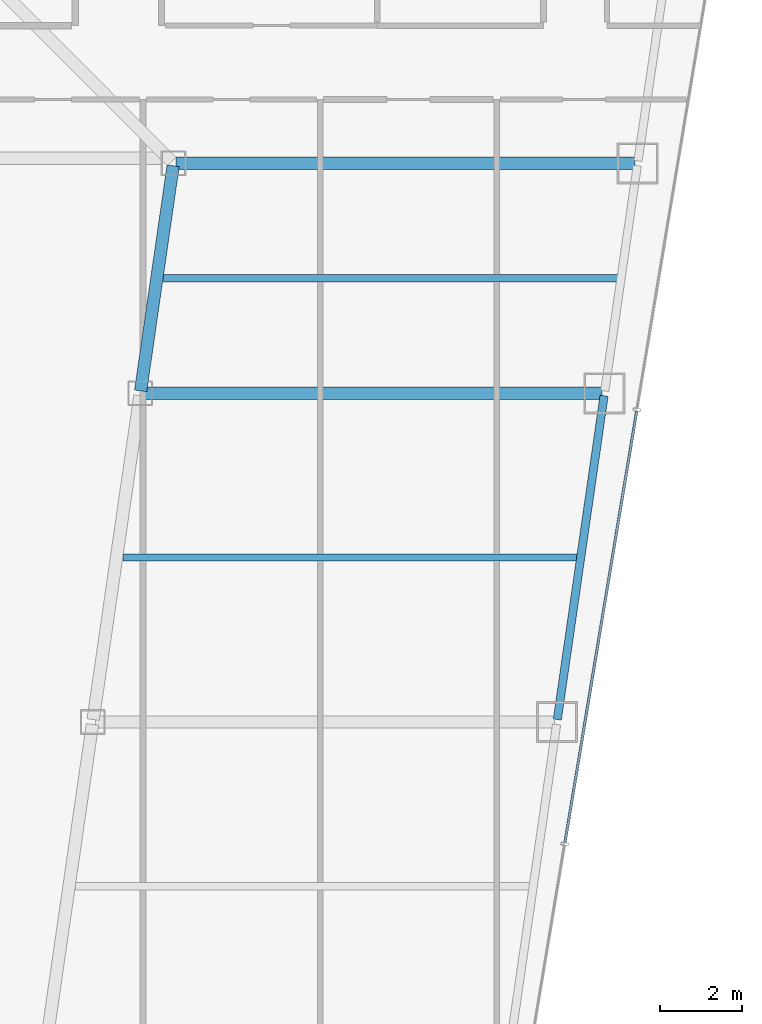
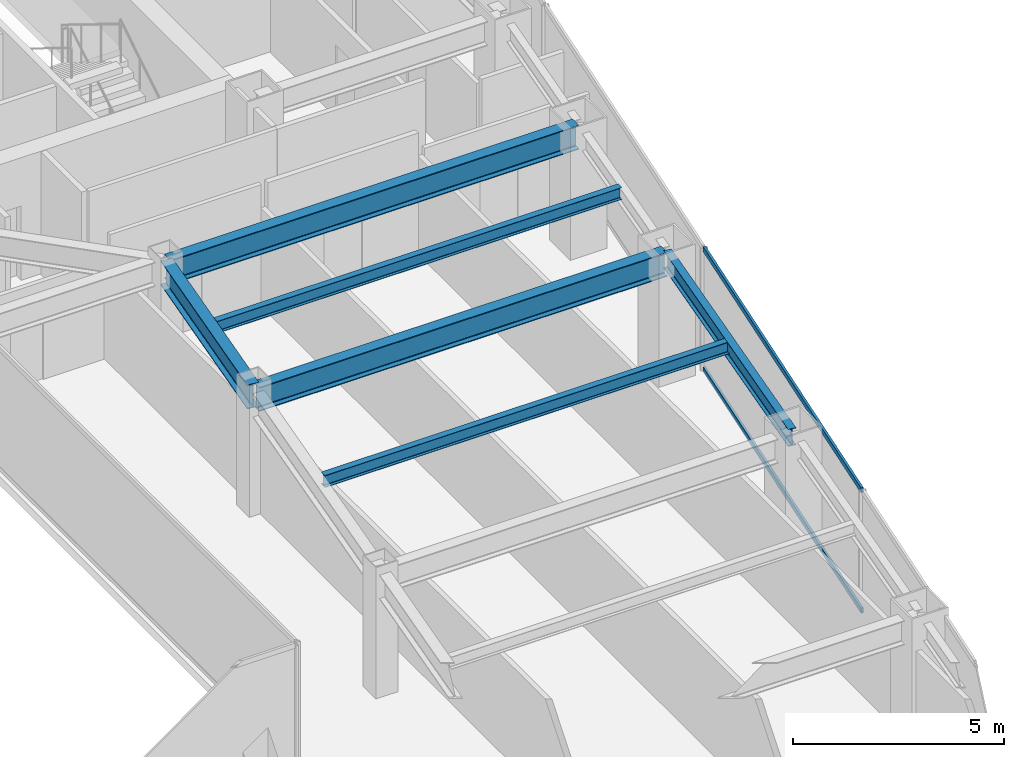
# One storey, part 17 of 37: 6 beams, 2 members, 1 element without a shape of its own.
"""IFC4 building model written with IfcOpenShell, lengths in metres."""

from ifc_helpers import new_model, si_unit, direction, frame, origin, origin_2d, place, context, subcontext, project, spatial, hollow_rectangle, i_section, extrude, material, material_profile, profile_set, type_object, element, aggregate, save


model = new_model("IFC4")

# Units and contexts
model_context = context("Model", 3, precision=1e-05, world=origin(), true_north=direction((0.0, 1.0)))
body_context = subcontext(model_context, "Body", "Model", "MODEL_VIEW")
ifc_project = project(units=[si_unit("LENGTHUNIT", "METRE"), si_unit("AREAUNIT", "SQUARE_METRE"), si_unit("VOLUMEUNIT", "CUBIC_METRE"), si_unit("PLANEANGLEUNIT", "RADIAN"), si_unit("MASSUNIT", "GRAM", prefix="KILO")], contexts=[model_context])

# Site, building, storey
site_placement = place(None, origin())
site = spatial("IfcSite", under=ifc_project, at=site_placement, CompositionType="ELEMENT")
building_placement = place(site_placement, origin())
building = spatial("IfcBuilding", under=site, at=building_placement, Name="Saevonmaru Cultural Tower", CompositionType="ELEMENT")
storey_placement = place(building_placement, frame((0.0, 0.0, 144.800048828125)))
storey = spatial("IfcBuildingStorey", under=building, at=storey_placement, Name="L31", CompositionType="ELEMENT", Elevation=144.800048828125)

# Beams
ifc_material_1 = material(Name="Steel SM355", Category="steel")
ifc_material_profile_1 = material_profile(ifc_material_1, i_section(OverallWidth=0.300048828125, OverallDepth=0.699951171875, WebThickness=0.012939453125, FlangeThickness=0.02392578125, FilletRadius=0.02587890625, at=origin_2d()), Name="H-700x300x13x24")
ifc_profile_set_1 = profile_set([ifc_material_profile_1], Name="Steel SM355")
beam_type_1 = type_object("IfcBeamType", Name="BM-G-H700", PredefinedType="BEAM", material=ifc_profile_set_1)
beam_1_placement = place(storey_placement, frame((40.3916015625, 32.059326171875, 3.199951171875), z_axis=(0.142964121327, 0.989727871697, 0.0), x_axis=(-0.989727871697, 0.142964121327, 0.0)))
element("IfcBeam", 1, at=beam_1_placement, inside=storey, type_object=beam_type_1, Name="L31 East Atrium Girder 4", PredefinedType="BEAM", context=body_context, shape_type="SweptSolid", body=[
    extrude(i_section(OverallWidth=0.300048828125, OverallDepth=0.699951171875, WebThickness=0.012939453125, FlangeThickness=0.02392578125, FilletRadius=0.02587890625, at=origin_2d()), origin(), (0.0, 0.0, 1.0), 5.5380859375),
])
for number, where, z_axis, x_axis, name in (
    (2, (40.443115234375, 32.0, 3.199951171875), (1.0, 0.0, 0.0), (0.0, 1.0, 0.0), "L31 East Wing Transverse Girder 4"),
    (3, (41.251953125, 37.60009765625, 3.199951171875), (1.0, 0.0, 0.0), (0.0, 1.0, 0.0), "L31 East Wing Transverse Girder 5"),
):
    element("IfcBeam", number, at=place(storey_placement, frame(where, z_axis=z_axis, x_axis=x_axis)), inside=storey, type_object=beam_type_1, Name=name, PredefinedType="BEAM", context=body_context, shape_type="SweptSolid", body=[
        extrude(i_section(OverallWidth=0.300048828125, OverallDepth=0.699951171875, WebThickness=0.012939453125, FlangeThickness=0.02392578125, FilletRadius=0.02587890625, at=origin_2d()), origin(), (0.0, 0.0, 1.0), 11.179931640625),
    ])
ifc_material_profile_2 = material_profile(ifc_material_1, i_section(OverallWidth=0.175048828125, OverallDepth=0.35009765625, WebThickness=0.007080078125, FlangeThickness=0.010986328125, FilletRadius=0.012939453125, at=origin_2d()), Name="H-350x175x7x11")
ifc_profile_set_2 = profile_set([ifc_material_profile_2], Name="Steel SM355")
beam_type_2 = type_object("IfcBeamType", Name="BM-J-H350", PredefinedType="JOIST", material=ifc_profile_set_2)
for number, where, z_axis, x_axis, name in (
    (4, (39.96337890625, 28.0, 3.375), (1.0, 0.0, 0.0), (0.0, 1.0, 0.0), "L31 East Wing Floor Joist 3"),
    (5, (40.945556640625, 34.800048828125, 3.375), (1.0, 0.0, 0.0), (0.0, 1.0, 0.0), "L31 East Wing Floor Joist 4"),
):
    element("IfcBeam", number, at=place(storey_placement, frame(where, z_axis=z_axis, x_axis=x_axis)), inside=storey, type_object=beam_type_2, Name=name, PredefinedType="JOIST", context=body_context, shape_type="SweptSolid", body=[
        extrude(i_section(OverallWidth=0.175048828125, OverallDepth=0.35009765625, WebThickness=0.007080078125, FlangeThickness=0.010986328125, FilletRadius=0.012939453125, at=origin_2d()), origin(), (0.0, 0.0, 1.0), 11.08203125),
    ])
ifc_material_profile_3 = material_profile(ifc_material_1, i_section(OverallWidth=0.199951171875, OverallDepth=0.5, WebThickness=0.010009765625, FlangeThickness=0.01611328125, FilletRadius=0.02001953125, at=origin_2d()), Name="H-500x200x10x16")
ifc_profile_set_3 = profile_set([ifc_material_profile_3], Name="Steel SM355")
beam_type_3 = type_object("IfcBeamType", Name="BM-SP-H500", PredefinedType="SPANDREL", material=ifc_profile_set_3)
beam_2_placement = place(storey_placement, frame((50.53662109375, 24.059326171875, 3.300048828125), z_axis=(0.142871999001, 0.989741174197, 0.0), x_axis=(-0.989741174197, 0.142871999001, 0.0)))
element("IfcBeam", 6, at=beam_2_placement, inside=storey, type_object=beam_type_3, Name="L31 East Splayed Spandrel 3", PredefinedType="SPANDREL", context=body_context, shape_type="SweptSolid", body=[
    extrude(i_section(OverallWidth=0.199951171875, OverallDepth=0.5, WebThickness=0.010009765625, FlangeThickness=0.01611328125, FilletRadius=0.02001953125, at=origin_2d()), origin(), (0.0, 0.0, 1.0), 7.963134765625),
])

# Curtain wall, members
ifc_material_2 = material(Name="Satin Bronze Anodised Aluminium", Category="aluminium")
curtain_wall_type = type_object("IfcCurtainWallType", Name="CW-TYP-A", PredefinedType="NOTDEFINED", material=ifc_material_2)
curtain_wall_placement = place(storey_placement, origin())
curtain_wall = element("IfcCurtainWall", 7, at=curtain_wall_placement, inside=storey, type_object=curtain_wall_type, Name="L31 Unitised Curtain Wall E8", PredefinedType="NOTDEFINED")
ifc_material_profile_4 = material_profile(ifc_material_2, hollow_rectangle(XDim=0.06494140625, YDim=0.14990234375, WallThickness=0.00390625, at=origin_2d()), Name="ALU-TRAN-150x65x4")
ifc_profile_set_4 = profile_set([ifc_material_profile_4], Name="Satin Bronze Anodised Aluminium")
member_type = type_object("IfcMemberType", Name="TR-CW-150x65", PredefinedType="USERDEFINED", material=ifc_profile_set_4)
member_1_placement = place(storey_placement, frame((50.7236328125, 21.061767578125, 0.032470703125), z_axis=(0.163993787386, 0.98646137162, 0.0), x_axis=(-0.98646137162, 0.163993787386, 0.0)))
member_1 = element("IfcMember", 8, at=member_1_placement, type_object=member_type, Name="CW-TW-L31-E8 transom 2.1", ObjectType="TRANSOM", PredefinedType="USERDEFINED", context=body_context, shape_type="SweptSolid", body=[
    extrude(hollow_rectangle(XDim=0.06494140625, YDim=0.14990234375, WallThickness=0.00390625, at=origin_2d()), origin(), (0.0, 0.0, 1.0), 10.650390625),
])
member_2_placement = place(storey_placement, frame((50.7236328125, 21.061767578125, 3.517333984375), z_axis=(0.163993787386, 0.98646137162, 0.0), x_axis=(-0.98646137162, 0.163993787386, 0.0)))
member_2 = element("IfcMember", 9, at=member_2_placement, type_object=member_type, Name="CW-TW-L31-E8 transom 2.2", ObjectType="TRANSOM", PredefinedType="USERDEFINED", context=body_context, shape_type="SweptSolid", body=[
    extrude(hollow_rectangle(XDim=0.06494140625, YDim=0.14990234375, WallThickness=0.00390625, at=origin_2d()), origin(), (0.0, 0.0, 1.0), 10.650390625),
])
aggregate(curtain_wall, [member_1, member_2])

save(model, "model.ifc")
